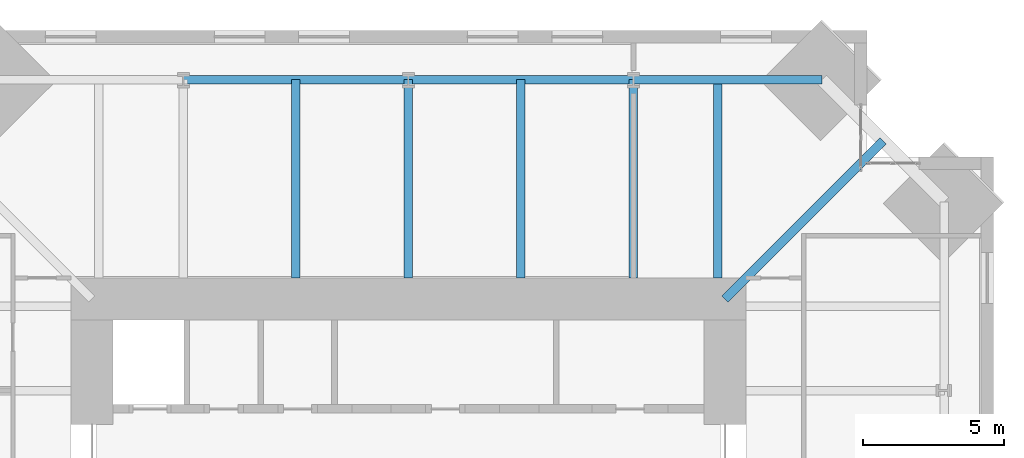
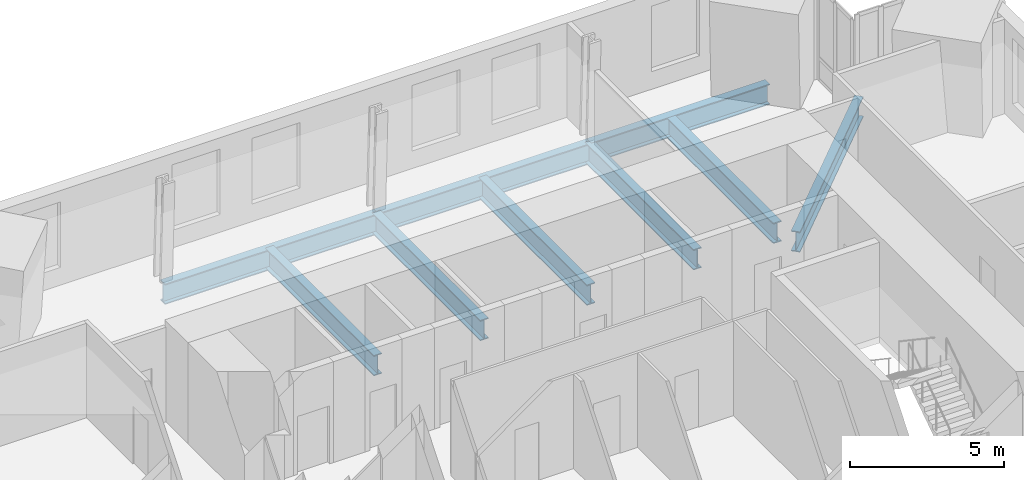
# One storey, part 7 of 15: 9 beams.
"""IFC4 building model written with IfcOpenShell, lengths in metres."""

from ifc_helpers import new_model, si_unit, direction, frame, origin, origin_2d, place, context, subcontext, project, spatial, i_section, extrude, material, material_profile, profile_set, type_object, element, save


model = new_model("IFC4")

# Units and contexts
model_context = context("Model", 3, precision=1e-05, world=origin(), true_north=direction((0.0, 1.0)))
body_context = subcontext(model_context, "Body", "Model", "MODEL_VIEW")
ifc_project = project(units=[si_unit("LENGTHUNIT", "METRE"), si_unit("AREAUNIT", "SQUARE_METRE"), si_unit("VOLUMEUNIT", "CUBIC_METRE"), si_unit("PLANEANGLEUNIT", "RADIAN"), si_unit("MASSUNIT", "GRAM", prefix="KILO")], contexts=[model_context])

# Site, building, storey
site_placement = place(None, origin())
site = spatial("IfcSite", under=ifc_project, at=site_placement, CompositionType="ELEMENT")
building_placement = place(site_placement, origin())
building = spatial("IfcBuilding", under=site, at=building_placement, Name="Peilmerk Tower", CompositionType="ELEMENT")
storey_placement = place(building_placement, frame((0.0, 0.0, 293.800048828125)))
storey = spatial("IfcBuildingStorey", under=building, at=storey_placement, Name="L66", CompositionType="ELEMENT", Elevation=293.800048828125)

# Beams
ifc_material = material(Name="Steel S460", Category="steel")
ifc_material_profile_1 = material_profile(ifc_material, i_section(OverallWidth=0.302978515625, OverallDepth=0.81396484375, WebThickness=0.02099609375, FlangeThickness=0.0400390625, at=origin_2d()), Name="HEM 800")
ifc_profile_set_1 = profile_set([ifc_material_profile_1], Name="Steel S460")
beam_type_1 = type_object("IfcBeamType", Name="B26 HEM 800 floor beam", PredefinedType="BEAM", material=ifc_profile_set_1)
for number, where, z_axis, x_axis, name in (
    (1, (11.0, 12.0, -0.5771484375), (0.0, 1.0, 0.0), (-1.0, 0.0, 0.0), "Floor beam L66"),
    (2, (8.0, 12.0, -0.5771484375), (0.0, 1.0, 0.0), (-1.0, 0.0, 0.0), "Floor beam L66"),
    (3, (4.0, 12.0, -0.5771484375), (0.0, 1.0, 0.0), (-1.0, 0.0, 0.0), "Floor beam L66"),
    (4, (0.0, 12.0, -0.5771484375), (0.0, 1.0, 0.0), (-1.0, 0.0, 0.0), "Floor beam L66"),
    (5, (-4.0, 12.0, -0.5771484375), (0.0, 1.0, 0.0), (-1.0, 0.0, 0.0), "Floor beam L66"),
):
    element("IfcBeam", number, at=place(storey_placement, frame(where, z_axis=z_axis, x_axis=x_axis)), inside=storey, type_object=beam_type_1, Name=name, PredefinedType="BEAM", context=body_context, shape_type="SweptSolid", body=[
        extrude(i_section(OverallWidth=0.302978515625, OverallDepth=0.81396484375, WebThickness=0.02099609375, FlangeThickness=0.0400390625, at=origin_2d()), origin(), (0.0, 0.0, 1.0), 7.050048828125),
    ])
beam_1_placement = place(storey_placement, frame((11.25, 11.25, -0.5771484375), z_axis=(0.707106781187, 0.707106781187, 0.0), x_axis=(-0.707106781187, 0.707106781187, 0.0)))
element("IfcBeam", 6, at=beam_1_placement, inside=storey, type_object=beam_type_1, Name="Corner girder L66", PredefinedType="BEAM", context=body_context, shape_type="SweptSolid", body=[
    extrude(i_section(OverallWidth=0.302978515625, OverallDepth=0.81396484375, WebThickness=0.02099609375, FlangeThickness=0.0400390625, at=origin_2d()), origin(), (0.0, 0.0, 1.0), 7.954833984375),
])
ifc_material_profile_2 = material_profile(ifc_material, i_section(OverallWidth=0.302978515625, OverallDepth=0.81396484375, WebThickness=0.02099609375, FlangeThickness=0.0400390625, at=origin_2d()), Name="HEM 800")
ifc_profile_set_2 = profile_set([ifc_material_profile_2], Name="Steel S460")
beam_type_2 = type_object("IfcBeamType", Name="B35 HEM 800 edge beam", PredefinedType="SPANDREL", material=ifc_profile_set_2)
beam_2_placement = place(storey_placement, frame((14.699951171875, 19.050048828125, -0.5771484375), z_axis=(-1.0, 0.0, 0.0), x_axis=(0.0, -1.0, 0.0)))
element("IfcBeam", 7, at=beam_2_placement, inside=storey, type_object=beam_type_2, Name="Edge beam L66", PredefinedType="SPANDREL", context=body_context, shape_type="SweptSolid", body=[
    extrude(i_section(OverallWidth=0.302978515625, OverallDepth=0.81396484375, WebThickness=0.02099609375, FlangeThickness=0.0400390625, at=origin_2d()), origin(), (0.0, 0.0, 1.0), 6.699951171875),
])
for number, where, z_axis, x_axis, name in (
    (8, (8.0, 19.050048828125, -0.5771484375), (-1.0, 0.0, 0.0), (0.0, -1.0, 0.0), "Edge beam L66"),
    (9, (0.0, 19.050048828125, -0.5771484375), (-1.0, 0.0, 0.0), (0.0, -1.0, 0.0), "Edge beam L66"),
):
    element("IfcBeam", number, at=place(storey_placement, frame(where, z_axis=z_axis, x_axis=x_axis)), inside=storey, type_object=beam_type_2, Name=name, PredefinedType="SPANDREL", context=body_context, shape_type="SweptSolid", body=[
        extrude(i_section(OverallWidth=0.302978515625, OverallDepth=0.81396484375, WebThickness=0.02099609375, FlangeThickness=0.0400390625, at=origin_2d()), origin(), (0.0, 0.0, 1.0), 8.0),
    ])

save(model, "model.ifc")
